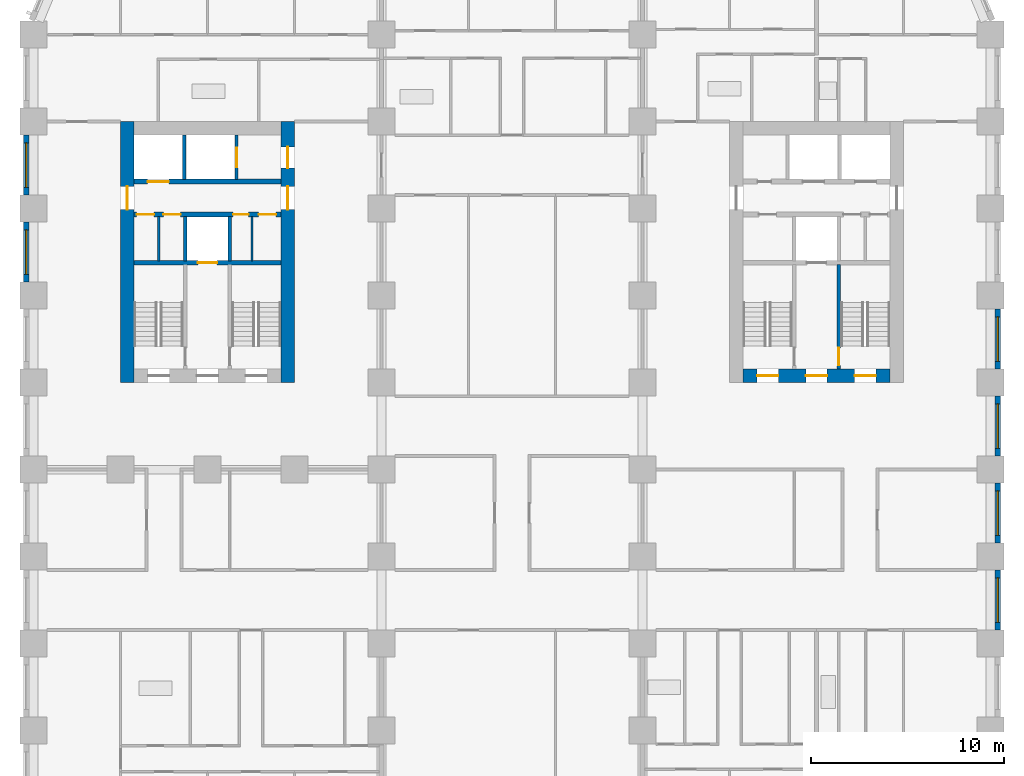
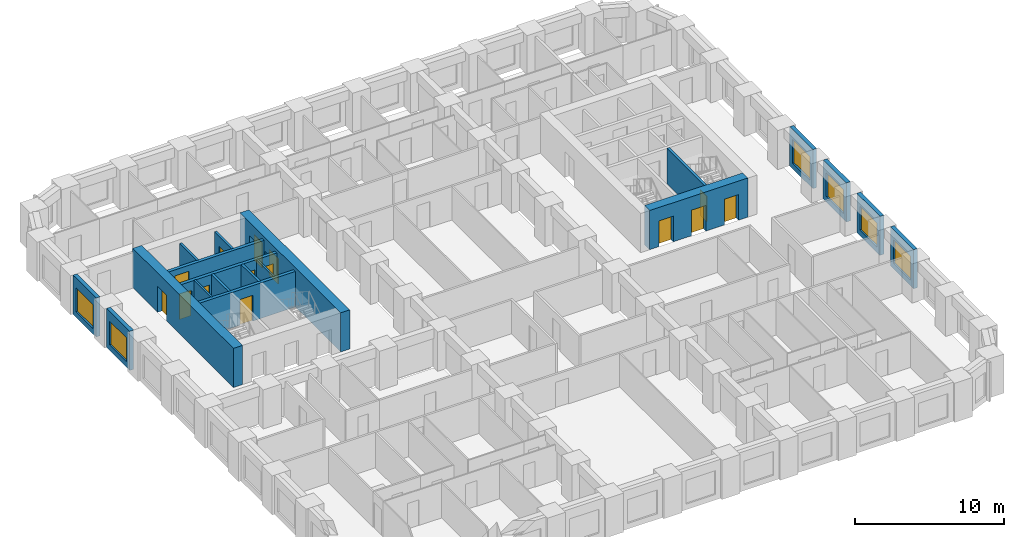
# One storey, part 6 of 13: 19 walls, 14 doors, 6 windows, 20 openings.
"""IFC4 building model written with IfcOpenShell, lengths in metres."""

from ifc_helpers import new_model, si_unit, direction, frame, frame_2d, origin, place, context, subcontext, project, spatial, rectangle, extrude, material, layer, layer_set, type_object, element, fill, save


model = new_model("IFC4")

# Units and contexts
model_context = context("Model", 3, precision=1e-05, world=origin(), true_north=direction((0.0, 1.0)))
body_context = subcontext(model_context, "Body", "Model", "MODEL_VIEW")
ifc_project = project(units=[si_unit("LENGTHUNIT", "METRE"), si_unit("AREAUNIT", "SQUARE_METRE"), si_unit("VOLUMEUNIT", "CUBIC_METRE"), si_unit("PLANEANGLEUNIT", "RADIAN"), si_unit("MASSUNIT", "GRAM", prefix="KILO")], contexts=[model_context])

# Site, building, storey
site_placement = place(None, origin())
site = spatial("IfcSite", under=ifc_project, at=site_placement, CompositionType="ELEMENT")
building_placement = place(site_placement, origin())
building = spatial("IfcBuilding", under=site, at=building_placement, Name="Girih Gate Residences", CompositionType="ELEMENT")
storey_placement = place(building_placement, frame((0.0, 0.0, 56.0)))
storey = spatial("IfcBuildingStorey", under=building, at=storey_placement, Name="L14", CompositionType="ELEMENT", Elevation=56.0)

# Wall, opening, door
ifc_material_1 = material(Name="Concrete C60/75", Category="concrete")
ifc_layer_1 = layer(ifc_material_1, 0.699951171875)
ifc_layer_set_1 = layer_set([ifc_layer_1], Name="Core wall RC 700 Concrete C60/75")
wall_type_1 = type_object("IfcWallType", Name="Core wall RC 700 Concrete C60/75", PredefinedType="SOLIDWALL", material=ifc_layer_set_1)
wall_1_placement = place(storey_placement, frame((4.85009765625, 27.0, 0.0), z_axis=(0.0, 0.0, 1.0), x_axis=(0.0, 1.0, 0.0)))
wall_1 = element("IfcWall", 1, at=wall_1_placement, inside=storey, type_object=wall_type_1, Name="Core wall W-W L14", PredefinedType="SOLIDWALL", context=body_context, shape_type="SweptSolid", body=[
    extrude(rectangle(XDim=13.5, YDim=0.699951171875, at=frame_2d((6.75, 0.0))), origin(), (0.0, 0.0, 1.0), 3.199951171875),
])
opening_1_placement = place(wall_1_placement, frame((8.949951171875, 0.0, 0.0)))
opening_1 = element("IfcOpeningElement", 2, at=opening_1_placement, cuts=wall_1, Name="Opening D-L14-W-014", PredefinedType="OPENING", context=body_context, shape_type="SweptSolid", body=[
    extrude(rectangle(XDim=1.199951171875, YDim=2.10009765625, at=frame_2d((0.60009765625, 1.050048828125))), frame((0.0, 0.35986328125, 0.0), z_axis=(0.0, -1.0, 0.0), x_axis=(1.0, 0.0, 0.0)), (0.0, 0.0, 1.0), 0.719970703125),
])
ifc_material_2 = material(Name="Painted steel, fire-resisting", Category="steel")
door_type_1 = type_object("IfcDoorType", Name="Fire door 1200x2100", OperationType="SINGLE_SWING_LEFT", PredefinedType="DOOR", material=ifc_material_2)
door_1_placement = place(opening_1_placement, origin())
door_1 = element("IfcDoor", 3, at=door_1_placement, inside=storey, type_object=door_type_1, Name="L14 W core door ll-w", OperationType="SINGLE_SWING_LEFT", OverallHeight=2.10009765625, OverallWidth=1.199951171875, PredefinedType="DOOR", context=body_context, shape_type="SweptSolid", body=[
    extrude(rectangle(XDim=1.199951171875, YDim=2.10009765625, at=frame_2d((0.60009765625, 1.050048828125))), frame((0.0, 0.02490234375, 0.0), z_axis=(0.0, -1.0, 0.0), x_axis=(1.0, 0.0, 0.0)), (0.0, 0.0, 1.0), 0.050048828125),
])
fill(opening_1, door_1)

# Wall, openings, doors
wall_2_placement = place(storey_placement, frame((13.14990234375, 27.0, 0.0), z_axis=(0.0, 0.0, 1.0), x_axis=(0.0, 1.0, 0.0)))
wall_2 = element("IfcWall", 4, at=wall_2_placement, inside=storey, type_object=wall_type_1, Name="Core wall W-E L14", PredefinedType="SOLIDWALL", context=body_context, shape_type="SweptSolid", body=[
    extrude(rectangle(XDim=13.5, YDim=0.699951171875, at=frame_2d((6.75, 0.0))), origin(), (0.0, 0.0, 1.0), 3.199951171875),
])
opening_2_placement = place(wall_2_placement, frame((11.10009765625, 0.0, 0.0)))
opening_2 = element("IfcOpeningElement", 5, at=opening_2_placement, cuts=wall_2, Name="Opening D-L14-W-013", PredefinedType="OPENING", context=body_context, shape_type="SweptSolid", body=[
    extrude(rectangle(XDim=1.10009765625, YDim=2.10009765625, at=frame_2d((0.550048828125, 1.050048828125))), frame((0.0, 0.35986328125, 0.0), z_axis=(0.0, -1.0, 0.0), x_axis=(1.0, 0.0, 0.0)), (0.0, 0.0, 1.0), 0.719970703125),
])
opening_3_placement = place(wall_2_placement, frame((8.949951171875, 0.0, 0.0)))
opening_3 = element("IfcOpeningElement", 6, at=opening_3_placement, cuts=wall_2, Name="Opening D-L14-W-015", PredefinedType="OPENING", context=body_context, shape_type="SweptSolid", body=[
    extrude(rectangle(XDim=1.199951171875, YDim=2.10009765625, at=frame_2d((0.60009765625, 1.050048828125))), frame((0.0, 0.35986328125, 0.0), z_axis=(0.0, -1.0, 0.0), x_axis=(1.0, 0.0, 0.0)), (0.0, 0.0, 1.0), 0.719970703125),
])
door_type_2 = type_object("IfcDoorType", Name="Fire door 1100x2100", OperationType="SINGLE_SWING_LEFT", PredefinedType="DOOR", material=ifc_material_2)
door_2_placement = place(opening_2_placement, origin())
door_2 = element("IfcDoor", 7, at=door_2_placement, inside=storey, type_object=door_type_2, Name="L14 W core door ffl2-e", OperationType="SINGLE_SWING_LEFT", OverallHeight=2.10009765625, OverallWidth=1.10009765625, PredefinedType="DOOR", context=body_context, shape_type="SweptSolid", body=[
    extrude(rectangle(XDim=1.10009765625, YDim=2.10009765625, at=frame_2d((0.550048828125, 1.050048828125))), frame((0.0, 0.02490234375, 0.0), z_axis=(0.0, -1.0, 0.0), x_axis=(1.0, 0.0, 0.0)), (0.0, 0.0, 1.0), 0.050048828125),
])
fill(opening_2, door_2)
door_3_placement = place(opening_3_placement, origin())
door_3 = element("IfcDoor", 8, at=door_3_placement, inside=storey, type_object=door_type_1, Name="L14 W core door ll-e", OperationType="SINGLE_SWING_LEFT", OverallHeight=2.10009765625, OverallWidth=1.199951171875, PredefinedType="DOOR", context=body_context, shape_type="SweptSolid", body=[
    extrude(rectangle(XDim=1.199951171875, YDim=2.10009765625, at=frame_2d((0.60009765625, 1.050048828125))), frame((0.0, 0.02490234375, 0.0), z_axis=(0.0, -1.0, 0.0), x_axis=(1.0, 0.0, 0.0)), (0.0, 0.0, 1.0), 0.050048828125),
])
fill(opening_3, door_3)

wall_3_placement = place(storey_placement, frame((36.699951171875, 27.35009765625, 0.0), z_axis=(0.0, 0.0, 1.0), x_axis=(1.0, 0.0, 0.0)))
wall_3 = element("IfcWall", 9, at=wall_3_placement, inside=storey, type_object=wall_type_1, Name="Core wall E-S L14", PredefinedType="SOLIDWALL", context=body_context, shape_type="SweptSolid", body=[
    extrude(rectangle(XDim=7.60009765625, YDim=0.699951171875, at=frame_2d((3.800048828125, 0.0))), origin(), (0.0, 0.0, 1.0), 3.199951171875),
])
opening_4_placement = place(wall_3_placement, frame((5.77490234375, 0.0, 0.0)))
opening_4 = element("IfcOpeningElement", 10, at=opening_4_placement, cuts=wall_3, Name="Opening D-L14-E-010", PredefinedType="OPENING", context=body_context, shape_type="SweptSolid", body=[
    extrude(rectangle(XDim=1.10009765625, YDim=2.10009765625, at=frame_2d((0.550048828125, 1.050048828125))), frame((0.0, 0.35986328125, 0.0), z_axis=(0.0, -1.0, 0.0), x_axis=(1.0, 0.0, 0.0)), (0.0, 0.0, 1.0), 0.719970703125),
])
opening_5_placement = place(wall_3_placement, frame((3.25, 0.0, 0.0)))
opening_5 = element("IfcOpeningElement", 11, at=opening_5_placement, cuts=wall_3, Name="Opening D-L14-E-011", PredefinedType="OPENING", context=body_context, shape_type="SweptSolid", body=[
    extrude(rectangle(XDim=1.10009765625, YDim=2.10009765625, at=frame_2d((0.550048828125, 1.050048828125))), frame((0.0, 0.35986328125, 0.0), z_axis=(0.0, -1.0, 0.0), x_axis=(1.0, 0.0, 0.0)), (0.0, 0.0, 1.0), 0.719970703125),
])
opening_6_placement = place(wall_3_placement, frame((0.72509765625, 0.0, 0.0)))
opening_6 = element("IfcOpeningElement", 12, at=opening_6_placement, cuts=wall_3, Name="Opening D-L14-E-012", PredefinedType="OPENING", context=body_context, shape_type="SweptSolid", body=[
    extrude(rectangle(XDim=1.10009765625, YDim=2.10009765625, at=frame_2d((0.550048828125, 1.050048828125))), frame((0.0, 0.35986328125, 0.0), z_axis=(0.0, -1.0, 0.0), x_axis=(1.0, 0.0, 0.0)), (0.0, 0.0, 1.0), 0.719970703125),
])
door_4_placement = place(opening_4_placement, origin())
door_4 = element("IfcDoor", 13, at=door_4_placement, inside=storey, type_object=door_type_2, Name="L14 E core door sta-out", OperationType="SINGLE_SWING_LEFT", OverallHeight=2.10009765625, OverallWidth=1.10009765625, PredefinedType="DOOR", context=body_context, shape_type="SweptSolid", body=[
    extrude(rectangle(XDim=1.10009765625, YDim=2.10009765625, at=frame_2d((0.550048828125, 1.050048828125))), frame((0.0, 0.02490234375, 0.0), z_axis=(0.0, -1.0, 0.0), x_axis=(1.0, 0.0, 0.0)), (0.0, 0.0, 1.0), 0.050048828125),
])
fill(opening_4, door_4)
door_5_placement = place(opening_5_placement, origin())
door_5 = element("IfcDoor", 14, at=door_5_placement, inside=storey, type_object=door_type_2, Name="L14 E core door ffl-out", OperationType="SINGLE_SWING_LEFT", OverallHeight=2.10009765625, OverallWidth=1.10009765625, PredefinedType="DOOR", context=body_context, shape_type="SweptSolid", body=[
    extrude(rectangle(XDim=1.10009765625, YDim=2.10009765625, at=frame_2d((0.550048828125, 1.050048828125))), frame((0.0, 0.02490234375, 0.0), z_axis=(0.0, -1.0, 0.0), x_axis=(1.0, 0.0, 0.0)), (0.0, 0.0, 1.0), 0.050048828125),
])
fill(opening_5, door_5)
door_6_placement = place(opening_6_placement, origin())
door_6 = element("IfcDoor", 15, at=door_6_placement, inside=storey, type_object=door_type_2, Name="L14 E core door stb-out", OperationType="SINGLE_SWING_LEFT", OverallHeight=2.10009765625, OverallWidth=1.10009765625, PredefinedType="DOOR", context=body_context, shape_type="SweptSolid", body=[
    extrude(rectangle(XDim=1.10009765625, YDim=2.10009765625, at=frame_2d((0.550048828125, 1.050048828125))), frame((0.0, 0.02490234375, 0.0), z_axis=(0.0, -1.0, 0.0), x_axis=(1.0, 0.0, 0.0)), (0.0, 0.0, 1.0), 0.050048828125),
])
fill(opening_6, door_6)

# Wall, opening, door
ifc_material_3 = material(Name="Concrete C40/50", Category="concrete")
ifc_layer_2 = layer(ifc_material_3, 0.25)
ifc_layer_set_2 = layer_set([ifc_layer_2], Name="Lift shaft wall 250")
wall_type_2 = type_object("IfcWallType", Name="Lift shaft wall 250", PredefinedType="SOLIDWALL", material=ifc_layer_set_2)
wall_4_placement = place(storey_placement, frame((5.199951171875, 33.199951171875, 0.0), z_axis=(0.0, 0.0, 1.0), x_axis=(1.0, 0.0, 0.0)))
wall_4 = element("IfcWall", 16, at=wall_4_placement, inside=storey, type_object=wall_type_2, Name="L14 W core wall H1", PredefinedType="SOLIDWALL", context=body_context, shape_type="SweptSolid", body=[
    extrude(rectangle(XDim=7.60009765625, YDim=0.25, at=frame_2d((3.800048828125, 0.0))), origin(), (0.0, 0.0, 1.0), 2.89990234375),
])
opening_7_placement = place(wall_4_placement, frame((3.300048828125, 0.0, 0.0)))
opening_7 = element("IfcOpeningElement", 17, at=opening_7_placement, cuts=wall_4, Name="Opening D-L14-W-005", PredefinedType="OPENING", context=body_context, shape_type="SweptSolid", body=[
    extrude(rectangle(XDim=1.0, YDim=2.10009765625, at=frame_2d((0.5, 1.050048828125))), frame((0.0, 0.135009765625, 0.0), z_axis=(0.0, -1.0, 0.0), x_axis=(1.0, 0.0, 0.0)), (0.0, 0.0, 1.0), 0.27001953125),
])
ifc_material_4 = material(Name="Stainless steel, fire-resisting", Category="steel")
door_type_3 = type_object("IfcDoorType", Name="Firefighting lift landing door 1000x2100", OperationType="SLIDING_TO_LEFT", PredefinedType="DOOR", material=ifc_material_4)
door_7_placement = place(opening_7_placement, origin())
door_7 = element("IfcDoor", 18, at=door_7_placement, inside=storey, type_object=door_type_3, Name="L14 lift FF-W landing door", OperationType="SLIDING_TO_LEFT", OverallHeight=2.10009765625, OverallWidth=1.0, PredefinedType="DOOR", context=body_context, shape_type="SweptSolid", body=[
    extrude(rectangle(XDim=1.0, YDim=2.10009765625, at=frame_2d((0.5, 1.050048828125))), frame((0.0, 0.02490234375, 0.0), z_axis=(0.0, -1.0, 0.0), x_axis=(1.0, 0.0, 0.0)), (0.0, 0.0, 1.0), 0.050048828125),
])
fill(opening_7, door_7)

# Wall, openings, doors
wall_5_placement = place(storey_placement, frame((5.199951171875, 35.699951171875, 0.0), z_axis=(0.0, 0.0, 1.0), x_axis=(1.0, 0.0, 0.0)))
wall_5 = element("IfcWall", 19, at=wall_5_placement, inside=storey, type_object=wall_type_2, Name="L14 W core wall H2", PredefinedType="SOLIDWALL", context=body_context, shape_type="SweptSolid", body=[
    extrude(rectangle(XDim=7.60009765625, YDim=0.25, at=frame_2d((3.800048828125, 0.0))), origin(), (0.0, 0.0, 1.0), 2.89990234375),
])
opening_8_placement = place(wall_5_placement, frame((0.137451171875, 0.0, 0.0)))
opening_8 = element("IfcOpeningElement", 20, at=opening_8_placement, cuts=wall_5, Name="Opening D-L14-W-006", PredefinedType="OPENING", context=body_context, shape_type="SweptSolid", body=[
    extrude(rectangle(XDim=0.89990234375, YDim=2.10009765625, at=frame_2d((0.449951171875, 1.050048828125))), frame((0.0, 0.135009765625, 0.0), z_axis=(0.0, -1.0, 0.0), x_axis=(1.0, 0.0, 0.0)), (0.0, 0.0, 1.0), 0.27001953125),
])
opening_9_placement = place(wall_5_placement, frame((1.512451171875, 0.0, 0.0)))
opening_9 = element("IfcOpeningElement", 21, at=opening_9_placement, cuts=wall_5, Name="Opening D-L14-W-007", PredefinedType="OPENING", context=body_context, shape_type="SweptSolid", body=[
    extrude(rectangle(XDim=0.89990234375, YDim=2.10009765625, at=frame_2d((0.449951171875, 1.050048828125))), frame((0.0, 0.135009765625, 0.0), z_axis=(0.0, -1.0, 0.0), x_axis=(1.0, 0.0, 0.0)), (0.0, 0.0, 1.0), 0.27001953125),
])
opening_10_placement = place(wall_5_placement, frame((5.125, 0.0, 0.0)))
opening_10 = element("IfcOpeningElement", 22, at=opening_10_placement, cuts=wall_5, Name="Opening D-L14-W-008", PredefinedType="OPENING", context=body_context, shape_type="SweptSolid", body=[
    extrude(rectangle(XDim=0.800048828125, YDim=2.10009765625, at=frame_2d((0.39990234375, 1.050048828125))), frame((0.0, 0.135009765625, 0.0), z_axis=(0.0, -1.0, 0.0), x_axis=(1.0, 0.0, 0.0)), (0.0, 0.0, 1.0), 0.27001953125),
])
opening_11_placement = place(wall_5_placement, frame((6.449951171875, 0.0, 0.0)))
opening_11 = element("IfcOpeningElement", 23, at=opening_11_placement, cuts=wall_5, Name="Opening D-L14-W-009", PredefinedType="OPENING", context=body_context, shape_type="SweptSolid", body=[
    extrude(rectangle(XDim=0.89990234375, YDim=2.10009765625, at=frame_2d((0.449951171875, 1.050048828125))), frame((0.0, 0.135009765625, 0.0), z_axis=(0.0, -1.0, 0.0), x_axis=(1.0, 0.0, 0.0)), (0.0, 0.0, 1.0), 0.27001953125),
])
door_type_4 = type_object("IfcDoorType", Name="Fire door 800x2100", OperationType="SINGLE_SWING_LEFT", PredefinedType="DOOR", material=ifc_material_2)
door_8_placement = place(opening_10_placement, origin())
door_8 = element("IfcDoor", 24, at=door_8_placement, inside=storey, type_object=door_type_4, Name="L14 W linen store door", OperationType="SINGLE_SWING_LEFT", OverallHeight=2.10009765625, OverallWidth=0.800048828125, PredefinedType="DOOR", context=body_context, shape_type="SweptSolid", body=[
    extrude(rectangle(XDim=0.800048828125, YDim=2.10009765625, at=frame_2d((0.39990234375, 1.050048828125))), frame((0.0, 0.02490234375, 0.0), z_axis=(0.0, -1.0, 0.0), x_axis=(1.0, 0.0, 0.0)), (0.0, 0.0, 1.0), 0.050048828125),
])
fill(opening_10, door_8)
door_type_5 = type_object("IfcDoorType", Name="Fire door 900x2100", OperationType="SINGLE_SWING_LEFT", PredefinedType="DOOR", material=ifc_material_2)
door_9_placement = place(opening_8_placement, origin())
door_9 = element("IfcDoor", 25, at=door_9_placement, inside=storey, type_object=door_type_5, Name="L14 W housekeeping store door", OperationType="SINGLE_SWING_LEFT", OverallHeight=2.10009765625, OverallWidth=0.89990234375, PredefinedType="DOOR", context=body_context, shape_type="SweptSolid", body=[
    extrude(rectangle(XDim=0.89990234375, YDim=2.10009765625, at=frame_2d((0.449951171875, 1.050048828125))), frame((0.0, 0.02490234375, 0.0), z_axis=(0.0, -1.0, 0.0), x_axis=(1.0, 0.0, 0.0)), (0.0, 0.0, 1.0), 0.050048828125),
])
fill(opening_8, door_9)
door_10_placement = place(opening_9_placement, origin())
door_10 = element("IfcDoor", 26, at=door_10_placement, inside=storey, type_object=door_type_5, Name="L14 W refuse store door", OperationType="SINGLE_SWING_LEFT", OverallHeight=2.10009765625, OverallWidth=0.89990234375, PredefinedType="DOOR", context=body_context, shape_type="SweptSolid", body=[
    extrude(rectangle(XDim=0.89990234375, YDim=2.10009765625, at=frame_2d((0.449951171875, 1.050048828125))), frame((0.0, 0.02490234375, 0.0), z_axis=(0.0, -1.0, 0.0), x_axis=(1.0, 0.0, 0.0)), (0.0, 0.0, 1.0), 0.050048828125),
])
fill(opening_9, door_10)
door_11_placement = place(opening_11_placement, origin())
door_11 = element("IfcDoor", 27, at=door_11_placement, inside=storey, type_object=door_type_5, Name="L14 W maintenance store door", OperationType="SINGLE_SWING_LEFT", OverallHeight=2.10009765625, OverallWidth=0.89990234375, PredefinedType="DOOR", context=body_context, shape_type="SweptSolid", body=[
    extrude(rectangle(XDim=0.89990234375, YDim=2.10009765625, at=frame_2d((0.449951171875, 1.050048828125))), frame((0.0, 0.02490234375, 0.0), z_axis=(0.0, -1.0, 0.0), x_axis=(1.0, 0.0, 0.0)), (0.0, 0.0, 1.0), 0.050048828125),
])
fill(opening_11, door_11)

# Wall, opening, door
wall_6_placement = place(storey_placement, frame((5.199951171875, 37.39990234375, 0.0), z_axis=(0.0, 0.0, 1.0), x_axis=(1.0, 0.0, 0.0)))
wall_6 = element("IfcWall", 28, at=wall_6_placement, inside=storey, type_object=wall_type_2, Name="L14 W core wall H3", PredefinedType="SOLIDWALL", context=body_context, shape_type="SweptSolid", body=[
    extrude(rectangle(XDim=7.60009765625, YDim=0.25, at=frame_2d((3.800048828125, 0.0))), origin(), (0.0, 0.0, 1.0), 2.89990234375),
])
opening_12_placement = place(wall_6_placement, frame((0.699951171875, 0.0, 0.0)))
opening_12 = element("IfcOpeningElement", 29, at=opening_12_placement, cuts=wall_6, Name="Opening D-L14-W-003", PredefinedType="OPENING", context=body_context, shape_type="SweptSolid", body=[
    extrude(rectangle(XDim=1.10009765625, YDim=2.39990234375, at=frame_2d((0.550048828125, 1.199951171875))), frame((0.0, 0.135009765625, 0.0), z_axis=(0.0, -1.0, 0.0), x_axis=(1.0, 0.0, 0.0)), (0.0, 0.0, 1.0), 0.27001953125),
])
ifc_material_5 = material(Name="Stainless steel", Category="steel")
door_type_6 = type_object("IfcDoorType", Name="Lift landing door 1100x2400", OperationType="SLIDING_TO_LEFT", PredefinedType="DOOR", material=ifc_material_5)
door_12_placement = place(opening_12_placement, origin())
door_12 = element("IfcDoor", 30, at=door_12_placement, inside=storey, type_object=door_type_6, Name="L14 lift LR-W1 landing door", OperationType="SLIDING_TO_LEFT", OverallHeight=2.39990234375, OverallWidth=1.10009765625, PredefinedType="DOOR", context=body_context, shape_type="SweptSolid", body=[
    extrude(rectangle(XDim=1.10009765625, YDim=2.39990234375, at=frame_2d((0.550048828125, 1.199951171875))), frame((0.0, 0.02490234375, 0.0), z_axis=(0.0, -1.0, 0.0), x_axis=(1.0, 0.0, 0.0)), (0.0, 0.0, 1.0), 0.050048828125),
])
fill(opening_12, door_12)

# Wall, opening, window
ifc_material_6 = material(Name="Precast concrete C50/60", Category="concrete")
ifc_layer_3 = layer(ifc_material_6, 0.080078125, Name="Outer leaf")
ifc_material_7 = material(Name="Rigid PIR insulation")
ifc_layer_4 = layer(ifc_material_7, 0.14990234375, Name="Insulation")
ifc_material_8 = material(Name="Precast concrete C40/50", Category="concrete")
ifc_layer_5 = layer(ifc_material_8, 0.070068359375, Name="Inner leaf")
ifc_layer_set_3 = layer_set([ifc_layer_3, ifc_layer_4, ifc_layer_5], Name="Precast concrete C50/60 external wall 300")
wall_type_3 = type_object("IfcWallType", Name="Precast concrete C50/60 external wall 300", PredefinedType="SOLIDWALL", material=ifc_layer_set_3)
wall_7_placement = place(storey_placement, frame((49.875, 17.300048828125, 0.0), z_axis=(0.0, 0.0, 1.0), x_axis=(0.0, -1.0, 0.0)))
wall_7 = element("IfcWall", 31, at=wall_7_placement, inside=storey, type_object=wall_type_3, Name="External wall E0495_0045.2", PredefinedType="SOLIDWALL", context=body_context, shape_type="SweptSolid", body=[
    extrude(rectangle(XDim=3.10009765625, YDim=0.300048828125, at=frame_2d((1.550048828125, 0.0))), origin(), (0.0, 0.0, 1.0), 3.199951171875),
])
opening_13_placement = place(wall_7_placement, frame((0.39990234375, 0.0, 0.449951171875)))
opening_13 = element("IfcOpeningElement", 32, at=opening_13_placement, cuts=wall_7, Name="Opening W-1", PredefinedType="OPENING", context=body_context, shape_type="SweptSolid", body=[
    extrude(rectangle(XDim=2.300048828125, YDim=1.949951171875, at=frame_2d((1.14990234375, 0.97509765625))), frame((0.0, 0.159912109375, 0.0), z_axis=(0.0, -1.0, 0.0), x_axis=(1.0, 0.0, 0.0)), (0.0, 0.0, 1.0), 0.320068359375),
])
ifc_material_9 = material(Name="Double glazing in aluminium frame", Category="aluminium")
window_type = type_object("IfcWindowType", Name="Window W-1 2300x1950", PartitioningType="SINGLE_PANEL", PredefinedType="WINDOW", material=ifc_material_9)
window_1_placement = place(opening_13_placement, origin())
window_1 = element("IfcWindow", 33, at=window_1_placement, inside=storey, type_object=window_type, Name="Window W-1 E0495_0045.2", OverallHeight=1.949951171875, OverallWidth=2.300048828125, PartitioningType="SINGLE_PANEL", PredefinedType="WINDOW", context=body_context, shape_type="SweptSolid", body=[
    extrude(rectangle(XDim=2.300048828125, YDim=1.949951171875, at=frame_2d((1.14990234375, 0.97509765625))), frame((0.0, 0.030029296875, 0.0), z_axis=(0.0, -1.0, 0.0), x_axis=(1.0, 0.0, 0.0)), (0.0, 0.0, 1.0), 0.06005859375),
])
fill(opening_13, window_1)

wall_8_placement = place(storey_placement, frame((49.875, 21.800048828125, 0.0), z_axis=(0.0, 0.0, 1.0), x_axis=(0.0, -1.0, 0.0)))
wall_8 = element("IfcWall", 34, at=wall_8_placement, inside=storey, type_object=wall_type_3, Name="External wall E0495_0045.3", PredefinedType="SOLIDWALL", context=body_context, shape_type="SweptSolid", body=[
    extrude(rectangle(XDim=3.10009765625, YDim=0.300048828125, at=frame_2d((1.550048828125, 0.0))), origin(), (0.0, 0.0, 1.0), 3.199951171875),
])
opening_14_placement = place(wall_8_placement, frame((0.39990234375, 0.0, 0.449951171875)))
opening_14 = element("IfcOpeningElement", 35, at=opening_14_placement, cuts=wall_8, Name="Opening W-1", PredefinedType="OPENING", context=body_context, shape_type="SweptSolid", body=[
    extrude(rectangle(XDim=2.300048828125, YDim=1.949951171875, at=frame_2d((1.14990234375, 0.97509765625))), frame((0.0, 0.159912109375, 0.0), z_axis=(0.0, -1.0, 0.0), x_axis=(1.0, 0.0, 0.0)), (0.0, 0.0, 1.0), 0.320068359375),
])
window_2_placement = place(opening_14_placement, origin())
window_2 = element("IfcWindow", 36, at=window_2_placement, inside=storey, type_object=window_type, Name="Window W-1 E0495_0045.3", OverallHeight=1.949951171875, OverallWidth=2.300048828125, PartitioningType="SINGLE_PANEL", PredefinedType="WINDOW", context=body_context, shape_type="SweptSolid", body=[
    extrude(rectangle(XDim=2.300048828125, YDim=1.949951171875, at=frame_2d((1.14990234375, 0.97509765625))), frame((0.0, 0.030029296875, 0.0), z_axis=(0.0, -1.0, 0.0), x_axis=(1.0, 0.0, 0.0)), (0.0, 0.0, 1.0), 0.06005859375),
])
fill(opening_14, window_2)

wall_9_placement = place(storey_placement, frame((49.875, 26.300048828125, 0.0), z_axis=(0.0, 0.0, 1.0), x_axis=(0.0, -1.0, 0.0)))
wall_9 = element("IfcWall", 37, at=wall_9_placement, inside=storey, type_object=wall_type_3, Name="External wall E0495_0045.4", PredefinedType="SOLIDWALL", context=body_context, shape_type="SweptSolid", body=[
    extrude(rectangle(XDim=3.10009765625, YDim=0.300048828125, at=frame_2d((1.550048828125, 0.0))), origin(), (0.0, 0.0, 1.0), 3.199951171875),
])
opening_15_placement = place(wall_9_placement, frame((0.39990234375, 0.0, 0.449951171875)))
opening_15 = element("IfcOpeningElement", 38, at=opening_15_placement, cuts=wall_9, Name="Opening W-1", PredefinedType="OPENING", context=body_context, shape_type="SweptSolid", body=[
    extrude(rectangle(XDim=2.300048828125, YDim=1.949951171875, at=frame_2d((1.14990234375, 0.97509765625))), frame((0.0, 0.159912109375, 0.0), z_axis=(0.0, -1.0, 0.0), x_axis=(1.0, 0.0, 0.0)), (0.0, 0.0, 1.0), 0.320068359375),
])
window_3_placement = place(opening_15_placement, origin())
window_3 = element("IfcWindow", 39, at=window_3_placement, inside=storey, type_object=window_type, Name="Window W-1 E0495_0045.4", OverallHeight=1.949951171875, OverallWidth=2.300048828125, PartitioningType="SINGLE_PANEL", PredefinedType="WINDOW", context=body_context, shape_type="SweptSolid", body=[
    extrude(rectangle(XDim=2.300048828125, YDim=1.949951171875, at=frame_2d((1.14990234375, 0.97509765625))), frame((0.0, 0.030029296875, 0.0), z_axis=(0.0, -1.0, 0.0), x_axis=(1.0, 0.0, 0.0)), (0.0, 0.0, 1.0), 0.06005859375),
])
fill(opening_15, window_3)

wall_10_placement = place(storey_placement, frame((49.875, 30.800048828125, 0.0), z_axis=(0.0, 0.0, 1.0), x_axis=(0.0, -1.0, 0.0)))
wall_10 = element("IfcWall", 40, at=wall_10_placement, inside=storey, type_object=wall_type_3, Name="External wall E0495_0045.5", PredefinedType="SOLIDWALL", context=body_context, shape_type="SweptSolid", body=[
    extrude(rectangle(XDim=3.10009765625, YDim=0.300048828125, at=frame_2d((1.550048828125, 0.0))), origin(), (0.0, 0.0, 1.0), 3.199951171875),
])
opening_16_placement = place(wall_10_placement, frame((0.39990234375, 0.0, 0.449951171875)))
opening_16 = element("IfcOpeningElement", 41, at=opening_16_placement, cuts=wall_10, Name="Opening W-1", PredefinedType="OPENING", context=body_context, shape_type="SweptSolid", body=[
    extrude(rectangle(XDim=2.300048828125, YDim=1.949951171875, at=frame_2d((1.14990234375, 0.97509765625))), frame((0.0, 0.159912109375, 0.0), z_axis=(0.0, -1.0, 0.0), x_axis=(1.0, 0.0, 0.0)), (0.0, 0.0, 1.0), 0.320068359375),
])
window_4_placement = place(opening_16_placement, origin())
window_4 = element("IfcWindow", 42, at=window_4_placement, inside=storey, type_object=window_type, Name="Window W-1 E0495_0045.5", OverallHeight=1.949951171875, OverallWidth=2.300048828125, PartitioningType="SINGLE_PANEL", PredefinedType="WINDOW", context=body_context, shape_type="SweptSolid", body=[
    extrude(rectangle(XDim=2.300048828125, YDim=1.949951171875, at=frame_2d((1.14990234375, 0.97509765625))), frame((0.0, 0.030029296875, 0.0), z_axis=(0.0, -1.0, 0.0), x_axis=(1.0, 0.0, 0.0)), (0.0, 0.0, 1.0), 0.06005859375),
])
fill(opening_16, window_4)

wall_11_placement = place(storey_placement, frame((-0.375, 36.699951171875, 0.0), z_axis=(0.0, 0.0, 1.0), x_axis=(0.0, 1.0, 0.0)))
wall_11 = element("IfcWall", 43, at=wall_11_placement, inside=storey, type_object=wall_type_3, Name="External wall W0000_0450.1", PredefinedType="SOLIDWALL", context=body_context, shape_type="SweptSolid", body=[
    extrude(rectangle(XDim=3.10009765625, YDim=0.300048828125, at=frame_2d((1.550048828125, 0.0))), origin(), (0.0, 0.0, 1.0), 3.199951171875),
])
opening_17_placement = place(wall_11_placement, frame((0.39990234375, 0.0, 0.449951171875)))
opening_17 = element("IfcOpeningElement", 44, at=opening_17_placement, cuts=wall_11, Name="Opening W-1", PredefinedType="OPENING", context=body_context, shape_type="SweptSolid", body=[
    extrude(rectangle(XDim=2.300048828125, YDim=1.949951171875, at=frame_2d((1.14990234375, 0.97509765625))), frame((0.0, 0.159912109375, 0.0), z_axis=(0.0, -1.0, 0.0), x_axis=(1.0, 0.0, 0.0)), (0.0, 0.0, 1.0), 0.320068359375),
])
window_5_placement = place(opening_17_placement, origin())
window_5 = element("IfcWindow", 45, at=window_5_placement, inside=storey, type_object=window_type, Name="Window W-1 W0000_0450.1", OverallHeight=1.949951171875, OverallWidth=2.300048828125, PartitioningType="SINGLE_PANEL", PredefinedType="WINDOW", context=body_context, shape_type="SweptSolid", body=[
    extrude(rectangle(XDim=2.300048828125, YDim=1.949951171875, at=frame_2d((1.14990234375, 0.97509765625))), frame((0.0, 0.030029296875, 0.0), z_axis=(0.0, -1.0, 0.0), x_axis=(1.0, 0.0, 0.0)), (0.0, 0.0, 1.0), 0.06005859375),
])
fill(opening_17, window_5)

wall_12_placement = place(storey_placement, frame((-0.375, 32.199951171875, 0.0), z_axis=(0.0, 0.0, 1.0), x_axis=(0.0, 1.0, 0.0)))
wall_12 = element("IfcWall", 46, at=wall_12_placement, inside=storey, type_object=wall_type_3, Name="External wall W0000_0450.2", PredefinedType="SOLIDWALL", context=body_context, shape_type="SweptSolid", body=[
    extrude(rectangle(XDim=3.10009765625, YDim=0.300048828125, at=frame_2d((1.550048828125, 0.0))), origin(), (0.0, 0.0, 1.0), 3.199951171875),
])
opening_18_placement = place(wall_12_placement, frame((0.39990234375, 0.0, 0.449951171875)))
opening_18 = element("IfcOpeningElement", 47, at=opening_18_placement, cuts=wall_12, Name="Opening W-1", PredefinedType="OPENING", context=body_context, shape_type="SweptSolid", body=[
    extrude(rectangle(XDim=2.300048828125, YDim=1.949951171875, at=frame_2d((1.14990234375, 0.97509765625))), frame((0.0, 0.159912109375, 0.0), z_axis=(0.0, -1.0, 0.0), x_axis=(1.0, 0.0, 0.0)), (0.0, 0.0, 1.0), 0.320068359375),
])
window_6_placement = place(opening_18_placement, origin())
window_6 = element("IfcWindow", 48, at=window_6_placement, inside=storey, type_object=window_type, Name="Window W-1 W0000_0450.2", OverallHeight=1.949951171875, OverallWidth=2.300048828125, PartitioningType="SINGLE_PANEL", PredefinedType="WINDOW", context=body_context, shape_type="SweptSolid", body=[
    extrude(rectangle(XDim=2.300048828125, YDim=1.949951171875, at=frame_2d((1.14990234375, 0.97509765625))), frame((0.0, 0.030029296875, 0.0), z_axis=(0.0, -1.0, 0.0), x_axis=(1.0, 0.0, 0.0)), (0.0, 0.0, 1.0), 0.06005859375),
])
fill(opening_18, window_6)

# Wall
ifc_layer_6 = layer(ifc_material_3, 0.175048828125)
ifc_layer_set_4 = layer_set([ifc_layer_6], Name="Riser shaft wall 175")
wall_type_4 = type_object("IfcWallType", Name="Riser shaft wall 175", PredefinedType="SOLIDWALL", material=ifc_layer_set_4)
wall_13_placement = place(storey_placement, frame((7.800048828125, 37.5, 0.0), z_axis=(0.0, 0.0, 1.0), x_axis=(0.0, 1.0, 0.0)))
element("IfcWall", 49, at=wall_13_placement, inside=storey, type_object=wall_type_4, Name="L14 W core wall V1c", PredefinedType="SOLIDWALL", context=body_context, shape_type="SweptSolid", body=[
    extrude(rectangle(XDim=2.300048828125, YDim=0.175048828125, at=frame_2d((1.14990234375, 0.0))), origin(), (0.0, 0.0, 1.0), 2.89990234375),
])

# Wall, opening, door
wall_14_placement = place(storey_placement, frame((10.5, 37.5, 0.0), z_axis=(0.0, 0.0, 1.0), x_axis=(0.0, 1.0, 0.0)))
wall_14 = element("IfcWall", 50, at=wall_14_placement, inside=storey, type_object=wall_type_4, Name="L14 W core wall V2c", PredefinedType="SOLIDWALL", context=body_context, shape_type="SweptSolid", body=[
    extrude(rectangle(XDim=2.300048828125, YDim=0.175048828125, at=frame_2d((1.14990234375, 0.0))), origin(), (0.0, 0.0, 1.0), 2.89990234375),
])
opening_19_placement = place(wall_14_placement, frame((0.64990234375, 0.0, 0.0)))
opening_19 = element("IfcOpeningElement", 51, at=opening_19_placement, cuts=wall_14, Name="Opening D-L14-W-004", PredefinedType="OPENING", context=body_context, shape_type="SweptSolid", body=[
    extrude(rectangle(XDim=1.0, YDim=2.10009765625, at=frame_2d((0.5, 1.050048828125))), frame((0.0, 0.097412109375, 0.0), z_axis=(0.0, -1.0, 0.0), x_axis=(1.0, 0.0, 0.0)), (0.0, 0.0, 1.0), 0.195068359375),
])
door_13_placement = place(opening_19_placement, origin())
door_13 = element("IfcDoor", 52, at=door_13_placement, inside=storey, type_object=door_type_3, Name="L14 lift FF-W2 landing door", OperationType="SLIDING_TO_LEFT", OverallHeight=2.10009765625, OverallWidth=1.0, PredefinedType="DOOR", context=body_context, shape_type="SweptSolid", body=[
    extrude(rectangle(XDim=1.0, YDim=2.10009765625, at=frame_2d((0.5, 1.050048828125))), frame((0.0, 0.02490234375, 0.0), z_axis=(0.0, -1.0, 0.0), x_axis=(1.0, 0.0, 0.0)), (0.0, 0.0, 1.0), 0.050048828125),
])
fill(opening_19, door_13)

# Walls
ifc_layer_7 = layer(ifc_material_3, 0.199951171875)
ifc_layer_set_5 = layer_set([ifc_layer_7], Name="Shaft wall 200")
wall_type_5 = type_object("IfcWallType", Name="Shaft wall 200", PredefinedType="SOLIDWALL", material=ifc_layer_set_5)
for number, where, z_axis, x_axis, name in (
    (53, (7.85009765625, 33.300048828125, 0.0), (0.0, 0.0, 1.0), (0.0, 1.0, 0.0), "L14 W core wall V1b"),
    (54, (10.14990234375, 33.300048828125, 0.0), (0.0, 0.0, 1.0), (0.0, 1.0, 0.0), "L14 W core wall V2b"),
):
    element("IfcWall", number, at=place(storey_placement, frame(where, z_axis=z_axis, x_axis=x_axis)), inside=storey, type_object=wall_type_5, Name=name, PredefinedType="SOLIDWALL", context=body_context, shape_type="SweptSolid", body=[
        extrude(rectangle(XDim=2.300048828125, YDim=0.199951171875, at=frame_2d((1.14990234375, 0.0))), origin(), (0.0, 0.0, 1.0), 2.89990234375),
    ])

# Wall, opening, door
wall_15_placement = place(storey_placement, frame((41.64990234375, 27.699951171875, 0.0), z_axis=(0.0, 0.0, 1.0), x_axis=(0.0, 1.0, 0.0)))
wall_15 = element("IfcWall", 55, at=wall_15_placement, inside=storey, type_object=wall_type_5, Name="L14 E core wall V1a", PredefinedType="SOLIDWALL", context=body_context, shape_type="SweptSolid", body=[
    extrude(rectangle(XDim=5.400146484375, YDim=0.199951171875, at=frame_2d((2.7001953125, 0.0))), origin(), (0.0, 0.0, 1.0), 2.89990234375),
])
opening_20_placement = place(wall_15_placement, frame((0.199951171875, 0.0, 0.0)))
opening_20 = element("IfcOpeningElement", 56, at=opening_20_placement, cuts=wall_15, Name="Opening D-L14-E-001", PredefinedType="OPENING", context=body_context, shape_type="SweptSolid", body=[
    extrude(rectangle(XDim=0.89990234375, YDim=2.10009765625, at=frame_2d((0.449951171875, 1.050048828125))), frame((0.0, 0.10986328125, 0.0), z_axis=(0.0, -1.0, 0.0), x_axis=(1.0, 0.0, 0.0)), (0.0, 0.0, 1.0), 0.219970703125),
])
door_14_placement = place(opening_20_placement, origin())
door_14 = element("IfcDoor", 57, at=door_14_placement, inside=storey, type_object=door_type_5, Name="L14 E door stair 1 to firefighting lobby", OperationType="SINGLE_SWING_LEFT", OverallHeight=2.10009765625, OverallWidth=0.89990234375, PredefinedType="DOOR", context=body_context, shape_type="SweptSolid", body=[
    extrude(rectangle(XDim=0.89990234375, YDim=2.10009765625, at=frame_2d((0.449951171875, 1.050048828125))), frame((0.0, 0.02490234375, 0.0), z_axis=(0.0, -1.0, 0.0), x_axis=(1.0, 0.0, 0.0)), (0.0, 0.0, 1.0), 0.050048828125),
])
fill(opening_20, door_14)

# Walls
ifc_material_10 = material(Name="Calcium silicate blockwork", Category="masonry")
ifc_layer_8 = layer(ifc_material_10, 0.125)
ifc_layer_set_6 = layer_set([ifc_layer_8], Name="Store partition 125")
wall_type_6 = type_object("IfcWallType", Name="Store partition 125", PredefinedType="PARTITIONING", material=ifc_layer_set_6)
for number, where, z_axis, x_axis, name in (
    (58, (6.47509765625, 33.300048828125, 0.0), (0.0, 0.0, 1.0), (0.0, 1.0, 0.0), "L14 W core wall SHR1"),
    (59, (11.300048828125, 33.300048828125, 0.0), (0.0, 0.0, 1.0), (0.0, 1.0, 0.0), "L14 W core wall SHR2"),
):
    element("IfcWall", number, at=place(storey_placement, frame(where, z_axis=z_axis, x_axis=x_axis)), inside=storey, type_object=wall_type_6, Name=name, PredefinedType="PARTITIONING", context=body_context, shape_type="SweptSolid", body=[
        extrude(rectangle(XDim=2.300048828125, YDim=0.125, at=frame_2d((1.14990234375, 0.0))), origin(), (0.0, 0.0, 1.0), 2.89990234375),
    ])

save(model, "model.ifc")
